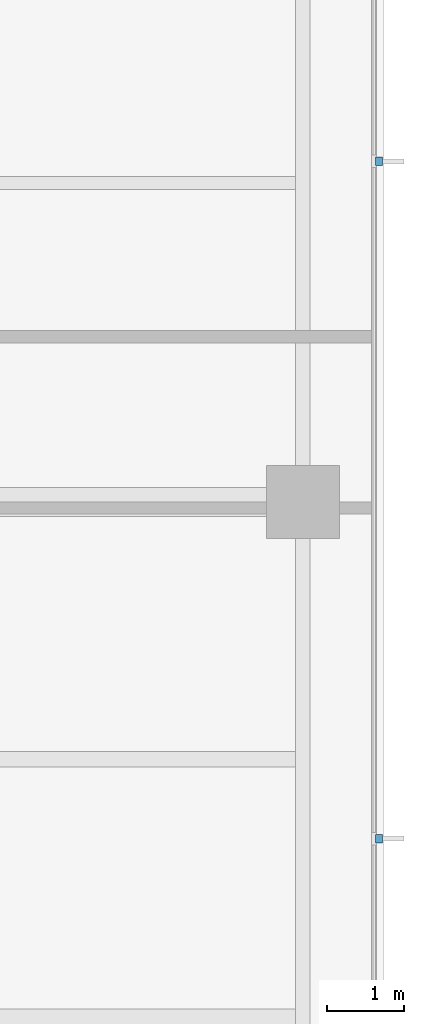
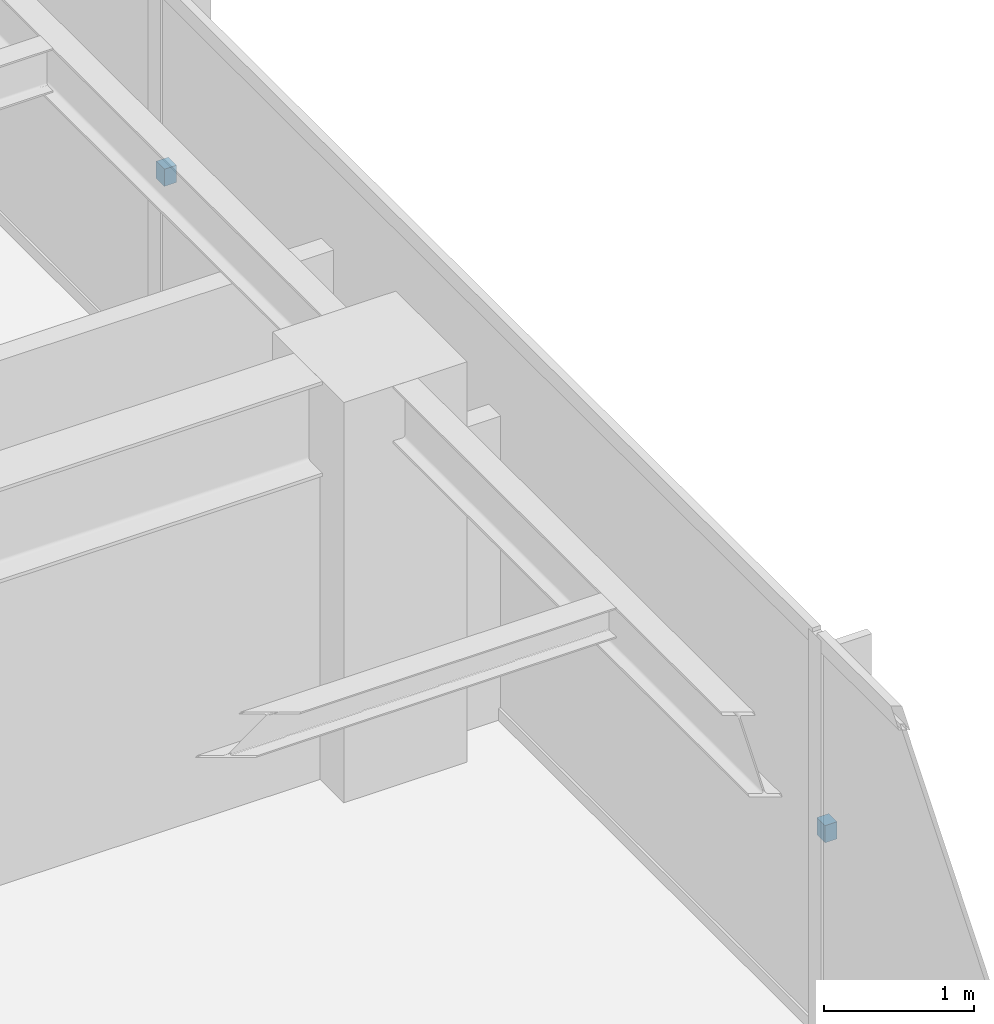
# One storey, part 12 of 15: 2 discrete accessories.
"""IFC4 building model written with IfcOpenShell, lengths in metres."""

from ifc_helpers import new_model, si_unit, direction, frame, origin, place, context, subcontext, project, spatial, polyline, outline, extrude, material, type_object, element, save


model = new_model("IFC4")

# Units and contexts
model_context = context("Model", 3, precision=1e-05, world=origin(), true_north=direction((0.0, 1.0)))
body_context = subcontext(model_context, "Body", "Model", "MODEL_VIEW")
ifc_project = project(units=[si_unit("LENGTHUNIT", "METRE"), si_unit("AREAUNIT", "SQUARE_METRE"), si_unit("VOLUMEUNIT", "CUBIC_METRE"), si_unit("PLANEANGLEUNIT", "RADIAN"), si_unit("MASSUNIT", "GRAM", prefix="KILO")], contexts=[model_context])

# Site, building, storey
site_placement = place(None, origin())
site = spatial("IfcSite", under=ifc_project, at=site_placement, CompositionType="ELEMENT")
building_placement = place(site_placement, origin())
building = spatial("IfcBuilding", under=site, at=building_placement, Name="Qalmaran Belvedere Hotel", CompositionType="ELEMENT")
storey_placement = place(building_placement, frame((0.0, 0.0, 203.89990234375)))
storey = spatial("IfcBuildingStorey", under=building, at=storey_placement, Name="L51", CompositionType="ELEMENT", Elevation=203.89990234375)

# Discrete accessories
ifc_material = material(Name="Stainless Steel 1.4401", Category="steel")
discrete_accessory_type = type_object("IfcDiscreteAccessoryType", Name="BRK-FIN-SS316", PredefinedType="BRACKET", material=ifc_material)
discrete_accessory_1_placement = place(storey_placement, frame((0.0, 0.0, 1.580078125)))
element("IfcDiscreteAccessory", 1, at=discrete_accessory_1_placement, inside=storey, type_object=discrete_accessory_type, Name="L51 Fin Bracket 1", PredefinedType="BRACKET", context=body_context, shape_type="SweptSolid", body=[
    extrude(outline(polyline([(53.4951171875, 16.061767578125), (53.58740234375, 16.061767578125), (53.58740234375, 16.171630859375), (53.4951171875, 16.171630859375), (53.4951171875, 16.061767578125)])), origin(), (0.0, 0.0, 1.0), 0.14013671875),
])
discrete_accessory_2_placement = place(storey_placement, frame((0.0, 0.0, 1.580078125)))
element("IfcDiscreteAccessory", 2, at=discrete_accessory_2_placement, inside=storey, type_object=discrete_accessory_type, Name="L51 Fin Bracket 2", PredefinedType="BRACKET", context=body_context, shape_type="SweptSolid", body=[
    extrude(outline(polyline([(53.4951171875, 24.87841796875), (53.58740234375, 24.87841796875), (53.58740234375, 24.98828125), (53.4951171875, 24.98828125), (53.4951171875, 24.87841796875)])), origin(), (0.0, 0.0, 1.0), 0.14013671875),
])

save(model, "model.ifc")
